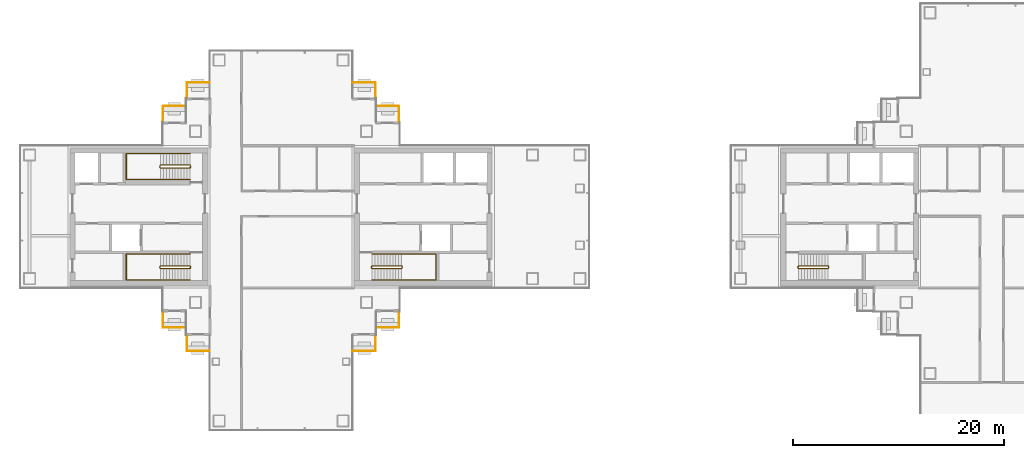
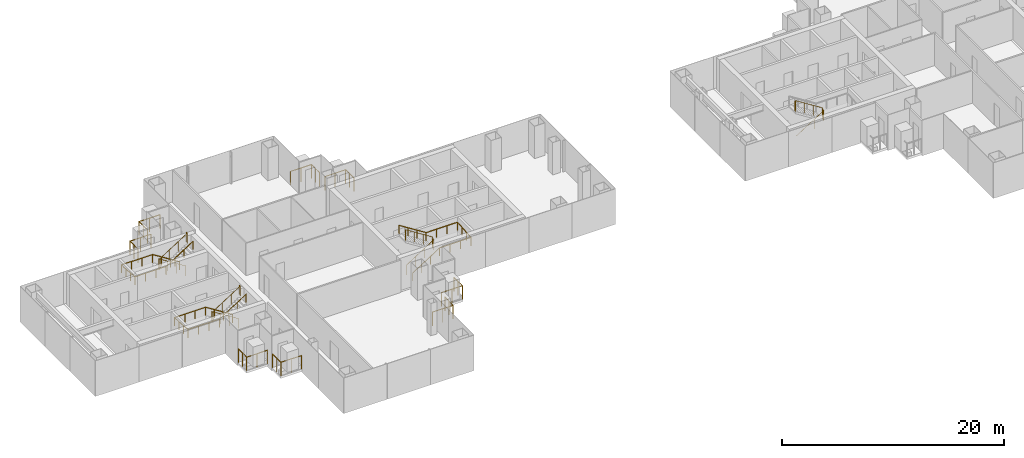
# One storey, part 15 of 17: 15 railings.
"""IFC4 building model written with IfcOpenShell, lengths in metres."""

from ifc_helpers import new_model, si_unit, direction, frame, origin, origin_2d, place, context, subcontext, project, spatial, circle, extrude, material, type_object, element, save


model = new_model("IFC4")

# Units and contexts
model_context = context("Model", 3, precision=1e-05, world=origin(), true_north=direction((0.0, 1.0)))
body_context = subcontext(model_context, "Body", "Model", "MODEL_VIEW")
ifc_project = project(units=[si_unit("LENGTHUNIT", "METRE"), si_unit("AREAUNIT", "SQUARE_METRE"), si_unit("VOLUMEUNIT", "CUBIC_METRE"), si_unit("PLANEANGLEUNIT", "RADIAN"), si_unit("MASSUNIT", "GRAM", prefix="KILO")], contexts=[model_context])

# Site, building, storey
site_placement = place(None, origin())
site = spatial("IfcSite", under=ifc_project, at=site_placement, CompositionType="ELEMENT")
building_placement = place(site_placement, origin())
building = spatial("IfcBuilding", under=site, at=building_placement, Name="Shamsa Quay Exchange Towers", CompositionType="ELEMENT")
storey_placement = place(building_placement, frame((0.0, 0.0, 170.10009765625)))
storey = spatial("IfcBuildingStorey", under=building, at=storey_placement, Name="L40", CompositionType="ELEMENT", Elevation=170.10009765625)

# Railings
ifc_material_1 = material(Name="Steel S355, black powder-coated", Category="steel")
railing_type_1 = type_object("IfcRailingType", Name="BALCONY GUARD 1500", PredefinedType="GUARDRAIL", material=ifc_material_1)
for number, where, name in (
    (1, (-22.550048828125, 9.02099609375, 0.0), "Balcony guard T1-PKEN L40"),
    (2, (-24.800048828125, 11.27099609375, 0.0), "Balcony guard T1-PKEN L40"),
):
    element("IfcRailing", number, at=place(storey_placement, frame(where)), inside=storey, type_object=railing_type_1, Name=name, PredefinedType="GUARDRAIL", context=body_context, shape_type="SweptSolid", body=[
        extrude(circle(Radius=0.02392578125, at=origin_2d()), frame((0.0, 0.0, 1.47607421875), z_axis=(0.0, 1.0, 0.0), x_axis=(-1.0, 0.0, 0.0)), (0.0, 0.0, 1.0), 1.47900390625),
        extrude(circle(Radius=0.02392578125, at=origin_2d()), frame((0.0, 1.47900390625, 1.47607421875), z_axis=(-1.0, 0.0, 0.0), x_axis=(0.0, -1.0, 0.0)), (0.0, 0.0, 1.0), 2.161865234375),
        extrude(circle(Radius=0.02099609375, at=origin_2d()), origin(), (0.0, 0.0, 1.0), 1.451904296875),
        extrude(circle(Radius=0.02099609375, at=origin_2d()), frame((0.0, 0.739501953125, 0.0)), (0.0, 0.0, 1.0), 1.451904296875),
        extrude(circle(Radius=0.02099609375, at=origin_2d()), frame((0.0, 1.47900390625, 0.0)), (0.0, 0.0, 1.0), 1.451904296875),
        extrude(circle(Radius=0.02099609375, at=origin_2d()), frame((-1.0810546875, 1.47900390625, 0.0)), (0.0, 0.0, 1.0), 1.451904296875),
        extrude(circle(Radius=0.02099609375, at=origin_2d()), frame((-2.161865234375, 1.47900390625, 0.0)), (0.0, 0.0, 1.0), 1.451904296875),
    ])
for number, where, name in (
    (3, (-24.7119140625, -10.5, 0.0), "Balcony guard T1-PKES L40"),
    (4, (-26.9619140625, -12.75, 0.0), "Balcony guard T1-PKES L40"),
):
    element("IfcRailing", number, at=place(storey_placement, frame(where)), inside=storey, type_object=railing_type_1, Name=name, PredefinedType="GUARDRAIL", context=body_context, shape_type="SweptSolid", body=[
        extrude(circle(Radius=0.02392578125, at=origin_2d()), frame((0.0, 0.0, 1.47607421875), z_axis=(1.0, 0.0, 0.0), x_axis=(0.0, 1.0, 0.0)), (0.0, 0.0, 1.0), 2.161865234375),
        extrude(circle(Radius=0.02392578125, at=origin_2d()), frame((2.161865234375, 0.0, 1.47607421875), z_axis=(0.0, 1.0, 0.0), x_axis=(-1.0, 0.0, 0.0)), (0.0, 0.0, 1.0), 1.47900390625),
        extrude(circle(Radius=0.02099609375, at=origin_2d()), origin(), (0.0, 0.0, 1.0), 1.451904296875),
        extrude(circle(Radius=0.02099609375, at=origin_2d()), frame((1.0810546875, 0.0, 0.0)), (0.0, 0.0, 1.0), 1.451904296875),
        extrude(circle(Radius=0.02099609375, at=origin_2d()), frame((2.161865234375, 0.0, 0.0)), (0.0, 0.0, 1.0), 1.451904296875),
        extrude(circle(Radius=0.02099609375, at=origin_2d()), frame((2.161865234375, 0.739501953125, 0.0)), (0.0, 0.0, 1.0), 1.451904296875),
        extrude(circle(Radius=0.02099609375, at=origin_2d()), frame((2.161865234375, 1.47900390625, 0.0)), (0.0, 0.0, 1.0), 1.451904296875),
    ])
for number, where, name in (
    (5, (-40.5380859375, 12.75, 0.0), "Balcony guard T1-PKWN L40"),
    (6, (-42.7880859375, 10.5, 0.0), "Balcony guard T1-PKWN L40"),
):
    element("IfcRailing", number, at=place(storey_placement, frame(where)), inside=storey, type_object=railing_type_1, Name=name, PredefinedType="GUARDRAIL", context=body_context, shape_type="SweptSolid", body=[
        extrude(circle(Radius=0.02392578125, at=origin_2d()), frame((0.0, 0.0, 1.47607421875), z_axis=(-1.0, 0.0, 0.0), x_axis=(0.0, -1.0, 0.0)), (0.0, 0.0, 1.0), 2.161865234375),
        extrude(circle(Radius=0.02392578125, at=origin_2d()), frame((-2.161865234375, 0.0, 1.47607421875), z_axis=(0.0, -1.0, 0.0), x_axis=(1.0, 0.0, 0.0)), (0.0, 0.0, 1.0), 1.47900390625),
        extrude(circle(Radius=0.02099609375, at=origin_2d()), origin(), (0.0, 0.0, 1.0), 1.451904296875),
        extrude(circle(Radius=0.02099609375, at=origin_2d()), frame((-1.0810546875, 0.0, 0.0)), (0.0, 0.0, 1.0), 1.451904296875),
        extrude(circle(Radius=0.02099609375, at=origin_2d()), frame((-2.161865234375, 0.0, 0.0)), (0.0, 0.0, 1.0), 1.451904296875),
        extrude(circle(Radius=0.02099609375, at=origin_2d()), frame((-2.161865234375, -0.739501953125, 0.0)), (0.0, 0.0, 1.0), 1.451904296875),
        extrude(circle(Radius=0.02099609375, at=origin_2d()), frame((-2.161865234375, -1.47900390625, 0.0)), (0.0, 0.0, 1.0), 1.451904296875),
    ])
for number, where, name in (
    (7, (-44.949951171875, -9.02099609375, 0.0), "Balcony guard T1-PKWS L40"),
    (8, (-42.699951171875, -11.27099609375, 0.0), "Balcony guard T1-PKWS L40"),
):
    element("IfcRailing", number, at=place(storey_placement, frame(where)), inside=storey, type_object=railing_type_1, Name=name, PredefinedType="GUARDRAIL", context=body_context, shape_type="SweptSolid", body=[
        extrude(circle(Radius=0.02392578125, at=origin_2d()), frame((0.0, 0.0, 1.47607421875), z_axis=(0.0, -1.0, 0.0), x_axis=(1.0, 0.0, 0.0)), (0.0, 0.0, 1.0), 1.47900390625),
        extrude(circle(Radius=0.02392578125, at=origin_2d()), frame((0.0, -1.47900390625, 1.47607421875), z_axis=(1.0, 0.0, 0.0), x_axis=(0.0, 1.0, 0.0)), (0.0, 0.0, 1.0), 2.161865234375),
        extrude(circle(Radius=0.02099609375, at=origin_2d()), origin(), (0.0, 0.0, 1.0), 1.451904296875),
        extrude(circle(Radius=0.02099609375, at=origin_2d()), frame((0.0, -0.739501953125, 0.0)), (0.0, 0.0, 1.0), 1.451904296875),
        extrude(circle(Radius=0.02099609375, at=origin_2d()), frame((0.0, -1.47900390625, 0.0)), (0.0, 0.0, 1.0), 1.451904296875),
        extrude(circle(Radius=0.02099609375, at=origin_2d()), frame((1.0810546875, -1.47900390625, 0.0)), (0.0, 0.0, 1.0), 1.451904296875),
        extrude(circle(Radius=0.02099609375, at=origin_2d()), frame((2.161865234375, -1.47900390625, 0.0)), (0.0, 0.0, 1.0), 1.451904296875),
    ])
ifc_material_2 = material(Name="Stainless steel", Category="steel")
railing_type_2 = type_object("IfcRailingType", Name="STAIR GUARD 1100", PredefinedType="GUARDRAIL", material=ifc_material_2)
railing_1_placement = place(storey_placement, frame((-25.10009765625, -4.89990234375, 0.17724609375)))
element("IfcRailing", 9, at=railing_1_placement, inside=storey, type_object=railing_type_2, Name="L40 ST1 stair guard 1", PredefinedType="GUARDRAIL", context=body_context, shape_type="SweptSolid", body=[
    extrude(circle(Radius=0.02392578125, at=origin_2d()), frame((0.0, 0.0, 1.076171875), z_axis=(0.844908973607, 0.0, 0.534910110503), x_axis=(0.0, 1.0, 0.0)), (0.0, 0.0, 1.0), 3.31396484375),
    extrude(circle(Radius=0.02392578125, at=origin_2d()), frame((2.800048828125, 0.0, 2.8486328125), z_axis=(0.708833529934, 0.705375805398, 0.0), x_axis=(-0.705375805398, 0.708833529934, 0.0)), (0.0, 0.0, 1.0), 0.070556640625),
    extrude(circle(Radius=0.02392578125, at=origin_2d()), frame((2.85009765625, 0.0498046875, 2.8486328125), z_axis=(0.0, 1.0, 0.0), x_axis=(-1.0, 0.0, 0.0)), (0.0, 0.0, 1.0), 0.150146484375),
    extrude(circle(Radius=0.02392578125, at=origin_2d()), frame((2.85009765625, 0.199951171875, 2.8486328125), z_axis=(-0.262233686654, 0.262233686654, 0.928691007369), x_axis=(-0.707106781187, -0.707106781187, 0.0)), (0.0, 0.0, 1.0), 0.19091796875),
    extrude(circle(Radius=0.02392578125, at=origin_2d()), frame((2.800048828125, 0.25, 3.02587890625), z_axis=(-0.844908973607, 0.0, 0.534910110503), x_axis=(0.0, -1.0, 0.0)), (0.0, 0.0, 1.0), 3.31396484375),
    extrude(circle(Radius=0.02392578125, at=origin_2d()), frame((0.0, 0.25, 4.798828125), z_axis=(-0.24142163986, -0.970420317083, 0.0), x_axis=(0.970420317083, -0.24142163986, 0.0)), (0.0, 0.0, 1.0), 0.206298828125),
    extrude(circle(Radius=0.02392578125, at=origin_2d()), frame((-0.0498046875, 0.0498046875, 4.798828125), z_axis=(0.0, 1.0, 0.0), x_axis=(-1.0, 0.0, 0.0)), (0.0, 0.0, 1.0), 0.150146484375),
    extrude(circle(Radius=0.02099609375, at=origin_2d()), origin(), (0.0, 0.0, 1.0), 1.052001953125),
    extrude(circle(Radius=0.02099609375, at=origin_2d()), frame((0.933349609375, 0.0, 0.5908203125)), (0.0, 0.0, 1.0), 1.052001953125),
    extrude(circle(Radius=0.02099609375, at=origin_2d()), frame((1.86669921875, 0.0, 1.181884765625)), (0.0, 0.0, 1.0), 1.052001953125),
    extrude(circle(Radius=0.02099609375, at=origin_2d()), frame((2.800048828125, 0.0, 1.772705078125)), (0.0, 0.0, 1.0), 1.052001953125),
    extrude(circle(Radius=0.02099609375, at=origin_2d()), frame((2.85009765625, 0.0498046875, 1.772705078125)), (0.0, 0.0, 1.0), 1.052001953125),
    extrude(circle(Radius=0.02099609375, at=origin_2d()), frame((2.85009765625, 0.199951171875, 1.772705078125)), (0.0, 0.0, 1.0), 1.052001953125),
    extrude(circle(Radius=0.02099609375, at=origin_2d()), frame((2.800048828125, 0.25, 1.949951171875)), (0.0, 0.0, 1.0), 1.052001953125),
    extrude(circle(Radius=0.02099609375, at=origin_2d()), frame((1.86669921875, 0.25, 2.540771484375)), (0.0, 0.0, 1.0), 1.052001953125),
    extrude(circle(Radius=0.02099609375, at=origin_2d()), frame((0.933349609375, 0.25, 3.1318359375)), (0.0, 0.0, 1.0), 1.052001953125),
    extrude(circle(Radius=0.02099609375, at=origin_2d()), frame((0.0, 0.25, 3.72265625)), (0.0, 0.0, 1.0), 1.052001953125),
    extrude(circle(Radius=0.02099609375, at=origin_2d()), frame((-0.0498046875, 0.0498046875, 3.72265625)), (0.0, 0.0, 1.0), 1.052001953125),
    extrude(circle(Radius=0.02099609375, at=origin_2d()), frame((-0.0498046875, 0.199951171875, 3.72265625)), (0.0, 0.0, 1.0), 1.052001953125),
])
railing_2_placement = place(storey_placement, frame((-42.39990234375, -4.64990234375, 0.17724609375)))
element("IfcRailing", 10, at=railing_2_placement, inside=storey, type_object=railing_type_2, Name="L40 ST2 stair guard 1", PredefinedType="GUARDRAIL", context=body_context, shape_type="SweptSolid", body=[
    extrude(circle(Radius=0.02392578125, at=origin_2d()), frame((0.0, 0.0, 1.076171875), z_axis=(-0.844908973607, 0.0, 0.534910110503), x_axis=(0.0, -1.0, 0.0)), (0.0, 0.0, 1.0), 3.31396484375),
    extrude(circle(Radius=0.02392578125, at=origin_2d()), frame((-2.800048828125, 0.0, 2.8486328125), z_axis=(-0.707106781187, -0.707106781187, 0.0), x_axis=(0.707106781187, -0.707106781187, 0.0)), (0.0, 0.0, 1.0), 0.07080078125),
    extrude(circle(Radius=0.02392578125, at=origin_2d()), frame((-2.85009765625, -0.050048828125, 2.8486328125), z_axis=(0.0, -1.0, 0.0), x_axis=(1.0, 0.0, 0.0)), (0.0, 0.0, 1.0), 0.150146484375),
    extrude(circle(Radius=0.02392578125, at=origin_2d()), frame((-2.85009765625, -0.2001953125, 2.8486328125), z_axis=(0.262321481514, -0.261041864531, 0.929001929653), x_axis=(0.705375805398, 0.708833529934, 0.0)), (0.0, 0.0, 1.0), 0.190673828125),
    extrude(circle(Radius=0.02392578125, at=origin_2d()), frame((-2.800048828125, -0.25, 3.02587890625), z_axis=(0.844908973607, 0.0, 0.534910110503), x_axis=(0.0, 1.0, 0.0)), (0.0, 0.0, 1.0), 3.31396484375),
    extrude(circle(Radius=0.02392578125, at=origin_2d()), frame((0.0, -0.25, 4.798828125), z_axis=(0.241699205484, 0.970351222016, 0.0), x_axis=(-0.970351222016, 0.241699205484, 0.0)), (0.0, 0.0, 1.0), 0.2060546875),
    extrude(circle(Radius=0.02392578125, at=origin_2d()), frame((0.0498046875, -0.050048828125, 4.798828125), z_axis=(0.0, -1.0, 0.0), x_axis=(1.0, 0.0, 0.0)), (0.0, 0.0, 1.0), 0.150146484375),
    extrude(circle(Radius=0.02099609375, at=origin_2d()), origin(), (0.0, 0.0, 1.0), 1.052001953125),
    extrude(circle(Radius=0.02099609375, at=origin_2d()), frame((-0.933349609375, 0.0, 0.5908203125)), (0.0, 0.0, 1.0), 1.052001953125),
    extrude(circle(Radius=0.02099609375, at=origin_2d()), frame((-1.86669921875, 0.0, 1.181884765625)), (0.0, 0.0, 1.0), 1.052001953125),
    extrude(circle(Radius=0.02099609375, at=origin_2d()), frame((-2.800048828125, 0.0, 1.772705078125)), (0.0, 0.0, 1.0), 1.052001953125),
    extrude(circle(Radius=0.02099609375, at=origin_2d()), frame((-2.85009765625, -0.050048828125, 1.772705078125)), (0.0, 0.0, 1.0), 1.052001953125),
    extrude(circle(Radius=0.02099609375, at=origin_2d()), frame((-2.85009765625, -0.2001953125, 1.772705078125)), (0.0, 0.0, 1.0), 1.052001953125),
    extrude(circle(Radius=0.02099609375, at=origin_2d()), frame((-2.800048828125, -0.25, 1.949951171875)), (0.0, 0.0, 1.0), 1.052001953125),
    extrude(circle(Radius=0.02099609375, at=origin_2d()), frame((-1.86669921875, -0.25, 2.540771484375)), (0.0, 0.0, 1.0), 1.052001953125),
    extrude(circle(Radius=0.02099609375, at=origin_2d()), frame((-0.933349609375, -0.25, 3.1318359375)), (0.0, 0.0, 1.0), 1.052001953125),
    extrude(circle(Radius=0.02099609375, at=origin_2d()), frame((0.0, -0.25, 3.72265625)), (0.0, 0.0, 1.0), 1.052001953125),
    extrude(circle(Radius=0.02099609375, at=origin_2d()), frame((0.0498046875, -0.050048828125, 3.72265625)), (0.0, 0.0, 1.0), 1.052001953125),
    extrude(circle(Radius=0.02099609375, at=origin_2d()), frame((0.0498046875, -0.2001953125, 3.72265625)), (0.0, 0.0, 1.0), 1.052001953125),
])
railing_3_placement = place(storey_placement, frame((-42.39990234375, 4.89990234375, 0.17724609375)))
element("IfcRailing", 11, at=railing_3_placement, inside=storey, type_object=railing_type_2, Name="L40 ST3 stair guard 1", PredefinedType="GUARDRAIL", context=body_context, shape_type="SweptSolid", body=[
    extrude(circle(Radius=0.02392578125, at=origin_2d()), frame((0.0, 0.0, 1.076171875), z_axis=(-0.844908973607, 0.0, 0.534910110503), x_axis=(0.0, -1.0, 0.0)), (0.0, 0.0, 1.0), 3.31396484375),
    extrude(circle(Radius=0.02392578125, at=origin_2d()), frame((-2.800048828125, 0.0, 2.8486328125), z_axis=(-0.708833529934, -0.705375805398, 0.0), x_axis=(0.705375805398, -0.708833529934, 0.0)), (0.0, 0.0, 1.0), 0.070556640625),
    extrude(circle(Radius=0.02392578125, at=origin_2d()), frame((-2.85009765625, -0.0498046875, 2.8486328125), z_axis=(0.0, -1.0, 0.0), x_axis=(1.0, 0.0, 0.0)), (0.0, 0.0, 1.0), 0.150146484375),
    extrude(circle(Radius=0.02392578125, at=origin_2d()), frame((-2.85009765625, -0.199951171875, 2.8486328125), z_axis=(0.262233686654, -0.262233686654, 0.928691007369), x_axis=(0.707106781187, 0.707106781187, 0.0)), (0.0, 0.0, 1.0), 0.19091796875),
    extrude(circle(Radius=0.02392578125, at=origin_2d()), frame((-2.800048828125, -0.25, 3.02587890625), z_axis=(0.844908973607, 0.0, 0.534910110503), x_axis=(0.0, 1.0, 0.0)), (0.0, 0.0, 1.0), 3.31396484375),
    extrude(circle(Radius=0.02392578125, at=origin_2d()), frame((0.0, -0.25, 4.798828125), z_axis=(0.24142163986, 0.970420317083, 0.0), x_axis=(-0.970420317083, 0.24142163986, 0.0)), (0.0, 0.0, 1.0), 0.206298828125),
    extrude(circle(Radius=0.02392578125, at=origin_2d()), frame((0.0498046875, -0.0498046875, 4.798828125), z_axis=(0.0, -1.0, 0.0), x_axis=(1.0, 0.0, 0.0)), (0.0, 0.0, 1.0), 0.150146484375),
    extrude(circle(Radius=0.02099609375, at=origin_2d()), origin(), (0.0, 0.0, 1.0), 1.052001953125),
    extrude(circle(Radius=0.02099609375, at=origin_2d()), frame((-0.933349609375, 0.0, 0.5908203125)), (0.0, 0.0, 1.0), 1.052001953125),
    extrude(circle(Radius=0.02099609375, at=origin_2d()), frame((-1.86669921875, 0.0, 1.181884765625)), (0.0, 0.0, 1.0), 1.052001953125),
    extrude(circle(Radius=0.02099609375, at=origin_2d()), frame((-2.800048828125, 0.0, 1.772705078125)), (0.0, 0.0, 1.0), 1.052001953125),
    extrude(circle(Radius=0.02099609375, at=origin_2d()), frame((-2.85009765625, -0.0498046875, 1.772705078125)), (0.0, 0.0, 1.0), 1.052001953125),
    extrude(circle(Radius=0.02099609375, at=origin_2d()), frame((-2.85009765625, -0.199951171875, 1.772705078125)), (0.0, 0.0, 1.0), 1.052001953125),
    extrude(circle(Radius=0.02099609375, at=origin_2d()), frame((-2.800048828125, -0.25, 1.949951171875)), (0.0, 0.0, 1.0), 1.052001953125),
    extrude(circle(Radius=0.02099609375, at=origin_2d()), frame((-1.86669921875, -0.25, 2.540771484375)), (0.0, 0.0, 1.0), 1.052001953125),
    extrude(circle(Radius=0.02099609375, at=origin_2d()), frame((-0.933349609375, -0.25, 3.1318359375)), (0.0, 0.0, 1.0), 1.052001953125),
    extrude(circle(Radius=0.02099609375, at=origin_2d()), frame((0.0, -0.25, 3.72265625)), (0.0, 0.0, 1.0), 1.052001953125),
    extrude(circle(Radius=0.02099609375, at=origin_2d()), frame((0.0498046875, -0.0498046875, 3.72265625)), (0.0, 0.0, 1.0), 1.052001953125),
    extrude(circle(Radius=0.02099609375, at=origin_2d()), frame((0.0498046875, -0.199951171875, 3.72265625)), (0.0, 0.0, 1.0), 1.052001953125),
])
railing_4_placement = place(storey_placement, frame((15.39990234375, -4.89990234375, 0.17724609375)))
element("IfcRailing", 12, at=railing_4_placement, inside=storey, type_object=railing_type_2, Name="L40 ST4 stair guard 1", PredefinedType="GUARDRAIL", context=body_context, shape_type="SweptSolid", body=[
    extrude(circle(Radius=0.02392578125, at=origin_2d()), frame((0.0, 0.0, 1.076171875), z_axis=(0.844908973607, 0.0, 0.534910110503), x_axis=(0.0, 1.0, 0.0)), (0.0, 0.0, 1.0), 3.31396484375),
    extrude(circle(Radius=0.02392578125, at=origin_2d()), frame((2.800048828125, 0.0, 2.8486328125), z_axis=(0.708833529934, 0.705375805398, 0.0), x_axis=(-0.705375805398, 0.708833529934, 0.0)), (0.0, 0.0, 1.0), 0.070556640625),
    extrude(circle(Radius=0.02392578125, at=origin_2d()), frame((2.85009765625, 0.0498046875, 2.8486328125), z_axis=(0.0, 1.0, 0.0), x_axis=(-1.0, 0.0, 0.0)), (0.0, 0.0, 1.0), 0.150146484375),
    extrude(circle(Radius=0.02392578125, at=origin_2d()), frame((2.85009765625, 0.199951171875, 2.8486328125), z_axis=(-0.262233686654, 0.262233686654, 0.928691007369), x_axis=(-0.707106781187, -0.707106781187, 0.0)), (0.0, 0.0, 1.0), 0.19091796875),
    extrude(circle(Radius=0.02392578125, at=origin_2d()), frame((2.800048828125, 0.25, 3.02587890625), z_axis=(-0.844908973607, 0.0, 0.534910110503), x_axis=(0.0, -1.0, 0.0)), (0.0, 0.0, 1.0), 3.31396484375),
    extrude(circle(Radius=0.02392578125, at=origin_2d()), frame((0.0, 0.25, 4.798828125), z_axis=(-0.24142163986, -0.970420317083, 0.0), x_axis=(0.970420317083, -0.24142163986, 0.0)), (0.0, 0.0, 1.0), 0.206298828125),
    extrude(circle(Radius=0.02392578125, at=origin_2d()), frame((-0.0498046875, 0.0498046875, 4.798828125), z_axis=(0.0, 1.0, 0.0), x_axis=(-1.0, 0.0, 0.0)), (0.0, 0.0, 1.0), 0.150146484375),
    extrude(circle(Radius=0.02099609375, at=origin_2d()), origin(), (0.0, 0.0, 1.0), 1.052001953125),
    extrude(circle(Radius=0.02099609375, at=origin_2d()), frame((0.933349609375, 0.0, 0.5908203125)), (0.0, 0.0, 1.0), 1.052001953125),
    extrude(circle(Radius=0.02099609375, at=origin_2d()), frame((1.86669921875, 0.0, 1.181884765625)), (0.0, 0.0, 1.0), 1.052001953125),
    extrude(circle(Radius=0.02099609375, at=origin_2d()), frame((2.800048828125, 0.0, 1.772705078125)), (0.0, 0.0, 1.0), 1.052001953125),
    extrude(circle(Radius=0.02099609375, at=origin_2d()), frame((2.85009765625, 0.0498046875, 1.772705078125)), (0.0, 0.0, 1.0), 1.052001953125),
    extrude(circle(Radius=0.02099609375, at=origin_2d()), frame((2.85009765625, 0.199951171875, 1.772705078125)), (0.0, 0.0, 1.0), 1.052001953125),
    extrude(circle(Radius=0.02099609375, at=origin_2d()), frame((2.800048828125, 0.25, 1.949951171875)), (0.0, 0.0, 1.0), 1.052001953125),
    extrude(circle(Radius=0.02099609375, at=origin_2d()), frame((1.86669921875, 0.25, 2.540771484375)), (0.0, 0.0, 1.0), 1.052001953125),
    extrude(circle(Radius=0.02099609375, at=origin_2d()), frame((0.933349609375, 0.25, 3.1318359375)), (0.0, 0.0, 1.0), 1.052001953125),
    extrude(circle(Radius=0.02099609375, at=origin_2d()), frame((0.0, 0.25, 3.72265625)), (0.0, 0.0, 1.0), 1.052001953125),
    extrude(circle(Radius=0.02099609375, at=origin_2d()), frame((-0.0498046875, 0.0498046875, 3.72265625)), (0.0, 0.0, 1.0), 1.052001953125),
    extrude(circle(Radius=0.02099609375, at=origin_2d()), frame((-0.0498046875, 0.199951171875, 3.72265625)), (0.0, 0.0, 1.0), 1.052001953125),
])
railing_type_3 = type_object("IfcRailingType", Name="STAIR HANDRAIL 900", PredefinedType="HANDRAIL", material=ifc_material_2)
railing_5_placement = place(storey_placement, frame((-25.10009765625, -6.0, 0.17724609375)))
element("IfcRailing", 13, at=railing_5_placement, inside=storey, type_object=railing_type_3, Name="L40 ST1 stair handrail 1", PredefinedType="HANDRAIL", context=body_context, shape_type="SweptSolid", body=[
    extrude(circle(Radius=0.02392578125, at=origin_2d()), frame((0.0, 0.0, 0.8759765625), z_axis=(0.844908973607, 0.0, 0.534910110503), x_axis=(0.0, 1.0, 0.0)), (0.0, 0.0, 1.0), 3.31396484375),
    extrude(circle(Radius=0.02392578125, at=origin_2d()), frame((2.800048828125, 0.0, 2.6484375), z_axis=(1.0, 0.0, 0.0), x_axis=(0.0, 1.0, 0.0)), (0.0, 0.0, 1.0), 3.25),
    extrude(circle(Radius=0.02392578125, at=origin_2d()), frame((6.050048828125, 0.0, 2.6484375), z_axis=(0.0, 0.997393199914, 0.07215819264), x_axis=(-1.0, 0.0, 0.0)), (0.0, 0.0, 1.0), 2.456298828125),
    extrude(circle(Radius=0.02392578125, at=origin_2d()), frame((6.050048828125, 2.449951171875, 2.82568359375), z_axis=(-1.0, 0.0, 0.0), x_axis=(0.0, -1.0, 0.0)), (0.0, 0.0, 1.0), 3.25),
    extrude(circle(Radius=0.02392578125, at=origin_2d()), frame((2.800048828125, 2.449951171875, 2.82568359375), z_axis=(-0.844908973607, 0.0, 0.534910110503), x_axis=(0.0, -1.0, 0.0)), (0.0, 0.0, 1.0), 3.31396484375),
    extrude(circle(Radius=0.02099609375, at=origin_2d()), origin(), (0.0, 0.0, 1.0), 0.851806640625),
    extrude(circle(Radius=0.02099609375, at=origin_2d()), frame((0.933349609375, 0.0, 0.5908203125)), (0.0, 0.0, 1.0), 0.851806640625),
    extrude(circle(Radius=0.02099609375, at=origin_2d()), frame((1.86669921875, 0.0, 1.181884765625)), (0.0, 0.0, 1.0), 0.851806640625),
    extrude(circle(Radius=0.02099609375, at=origin_2d()), frame((2.800048828125, 0.0, 1.772705078125)), (0.0, 0.0, 1.0), 0.851806640625),
    extrude(circle(Radius=0.02099609375, at=origin_2d()), frame((3.88330078125, 0.0, 1.772705078125)), (0.0, 0.0, 1.0), 0.851806640625),
    extrude(circle(Radius=0.02099609375, at=origin_2d()), frame((4.966796875, 0.0, 1.772705078125)), (0.0, 0.0, 1.0), 0.851806640625),
    extrude(circle(Radius=0.02099609375, at=origin_2d()), frame((6.050048828125, 0.0, 1.772705078125)), (0.0, 0.0, 1.0), 0.851806640625),
    extrude(circle(Radius=0.02099609375, at=origin_2d()), frame((6.050048828125, 0.816650390625, 1.831787109375)), (0.0, 0.0, 1.0), 0.851806640625),
    extrude(circle(Radius=0.02099609375, at=origin_2d()), frame((6.050048828125, 1.63330078125, 1.890869140625)), (0.0, 0.0, 1.0), 0.851806640625),
    extrude(circle(Radius=0.02099609375, at=origin_2d()), frame((6.050048828125, 2.449951171875, 1.949951171875)), (0.0, 0.0, 1.0), 0.851806640625),
    extrude(circle(Radius=0.02099609375, at=origin_2d()), frame((4.966796875, 2.449951171875, 1.949951171875)), (0.0, 0.0, 1.0), 0.851806640625),
    extrude(circle(Radius=0.02099609375, at=origin_2d()), frame((3.88330078125, 2.449951171875, 1.949951171875)), (0.0, 0.0, 1.0), 0.851806640625),
    extrude(circle(Radius=0.02099609375, at=origin_2d()), frame((2.800048828125, 2.449951171875, 1.949951171875)), (0.0, 0.0, 1.0), 0.851806640625),
    extrude(circle(Radius=0.02099609375, at=origin_2d()), frame((1.86669921875, 2.449951171875, 2.540771484375)), (0.0, 0.0, 1.0), 0.851806640625),
    extrude(circle(Radius=0.02099609375, at=origin_2d()), frame((0.933349609375, 2.449951171875, 3.1318359375)), (0.0, 0.0, 1.0), 0.851806640625),
    extrude(circle(Radius=0.02099609375, at=origin_2d()), frame((0.0, 2.449951171875, 3.72265625)), (0.0, 0.0, 1.0), 0.851806640625),
])
railing_6_placement = place(storey_placement, frame((-42.39990234375, -3.550048828125, 0.17724609375)))
element("IfcRailing", 14, at=railing_6_placement, inside=storey, type_object=railing_type_3, Name="L40 ST2 stair handrail 1", PredefinedType="HANDRAIL", context=body_context, shape_type="SweptSolid", body=[
    extrude(circle(Radius=0.02392578125, at=origin_2d()), frame((0.0, 0.0, 0.8759765625), z_axis=(-0.844908973607, 0.0, 0.534910110503), x_axis=(0.0, -1.0, 0.0)), (0.0, 0.0, 1.0), 3.31396484375),
    extrude(circle(Radius=0.02392578125, at=origin_2d()), frame((-2.800048828125, 0.0, 2.6484375), z_axis=(-1.0, 0.0, 0.0), x_axis=(0.0, -1.0, 0.0)), (0.0, 0.0, 1.0), 3.25),
    extrude(circle(Radius=0.02392578125, at=origin_2d()), frame((-6.050048828125, 0.0, 2.6484375), z_axis=(0.0, -0.997393199914, 0.07215819264), x_axis=(1.0, 0.0, 0.0)), (0.0, 0.0, 1.0), 2.456298828125),
    extrude(circle(Radius=0.02392578125, at=origin_2d()), frame((-6.050048828125, -2.449951171875, 2.82568359375), z_axis=(1.0, 0.0, 0.0), x_axis=(0.0, 1.0, 0.0)), (0.0, 0.0, 1.0), 3.25),
    extrude(circle(Radius=0.02392578125, at=origin_2d()), frame((-2.800048828125, -2.449951171875, 2.82568359375), z_axis=(0.844908973607, 0.0, 0.534910110503), x_axis=(0.0, 1.0, 0.0)), (0.0, 0.0, 1.0), 3.31396484375),
    extrude(circle(Radius=0.02099609375, at=origin_2d()), origin(), (0.0, 0.0, 1.0), 0.851806640625),
    extrude(circle(Radius=0.02099609375, at=origin_2d()), frame((-0.933349609375, 0.0, 0.5908203125)), (0.0, 0.0, 1.0), 0.851806640625),
    extrude(circle(Radius=0.02099609375, at=origin_2d()), frame((-1.86669921875, 0.0, 1.181884765625)), (0.0, 0.0, 1.0), 0.851806640625),
    extrude(circle(Radius=0.02099609375, at=origin_2d()), frame((-2.800048828125, 0.0, 1.772705078125)), (0.0, 0.0, 1.0), 0.851806640625),
    extrude(circle(Radius=0.02099609375, at=origin_2d()), frame((-3.88330078125, 0.0, 1.772705078125)), (0.0, 0.0, 1.0), 0.851806640625),
    extrude(circle(Radius=0.02099609375, at=origin_2d()), frame((-4.966796875, 0.0, 1.772705078125)), (0.0, 0.0, 1.0), 0.851806640625),
    extrude(circle(Radius=0.02099609375, at=origin_2d()), frame((-6.050048828125, 0.0, 1.772705078125)), (0.0, 0.0, 1.0), 0.851806640625),
    extrude(circle(Radius=0.02099609375, at=origin_2d()), frame((-6.050048828125, -0.816650390625, 1.831787109375)), (0.0, 0.0, 1.0), 0.851806640625),
    extrude(circle(Radius=0.02099609375, at=origin_2d()), frame((-6.050048828125, -1.63330078125, 1.890869140625)), (0.0, 0.0, 1.0), 0.851806640625),
    extrude(circle(Radius=0.02099609375, at=origin_2d()), frame((-6.050048828125, -2.449951171875, 1.949951171875)), (0.0, 0.0, 1.0), 0.851806640625),
    extrude(circle(Radius=0.02099609375, at=origin_2d()), frame((-4.966796875, -2.449951171875, 1.949951171875)), (0.0, 0.0, 1.0), 0.851806640625),
    extrude(circle(Radius=0.02099609375, at=origin_2d()), frame((-3.88330078125, -2.449951171875, 1.949951171875)), (0.0, 0.0, 1.0), 0.851806640625),
    extrude(circle(Radius=0.02099609375, at=origin_2d()), frame((-2.800048828125, -2.449951171875, 1.949951171875)), (0.0, 0.0, 1.0), 0.851806640625),
    extrude(circle(Radius=0.02099609375, at=origin_2d()), frame((-1.86669921875, -2.449951171875, 2.540771484375)), (0.0, 0.0, 1.0), 0.851806640625),
    extrude(circle(Radius=0.02099609375, at=origin_2d()), frame((-0.933349609375, -2.449951171875, 3.1318359375)), (0.0, 0.0, 1.0), 0.851806640625),
    extrude(circle(Radius=0.02099609375, at=origin_2d()), frame((0.0, -2.449951171875, 3.72265625)), (0.0, 0.0, 1.0), 0.851806640625),
])
railing_7_placement = place(storey_placement, frame((-42.39990234375, 6.0, 0.17724609375)))
element("IfcRailing", 15, at=railing_7_placement, inside=storey, type_object=railing_type_3, Name="L40 ST3 stair handrail 1", PredefinedType="HANDRAIL", context=body_context, shape_type="SweptSolid", body=[
    extrude(circle(Radius=0.02392578125, at=origin_2d()), frame((0.0, 0.0, 0.8759765625), z_axis=(-0.844908973607, 0.0, 0.534910110503), x_axis=(0.0, -1.0, 0.0)), (0.0, 0.0, 1.0), 3.31396484375),
    extrude(circle(Radius=0.02392578125, at=origin_2d()), frame((-2.800048828125, 0.0, 2.6484375), z_axis=(-1.0, 0.0, 0.0), x_axis=(0.0, -1.0, 0.0)), (0.0, 0.0, 1.0), 3.25),
    extrude(circle(Radius=0.02392578125, at=origin_2d()), frame((-6.050048828125, 0.0, 2.6484375), z_axis=(0.0, -0.997393199914, 0.07215819264), x_axis=(1.0, 0.0, 0.0)), (0.0, 0.0, 1.0), 2.456298828125),
    extrude(circle(Radius=0.02392578125, at=origin_2d()), frame((-6.050048828125, -2.449951171875, 2.82568359375), z_axis=(1.0, 0.0, 0.0), x_axis=(0.0, 1.0, 0.0)), (0.0, 0.0, 1.0), 3.25),
    extrude(circle(Radius=0.02392578125, at=origin_2d()), frame((-2.800048828125, -2.449951171875, 2.82568359375), z_axis=(0.844908973607, 0.0, 0.534910110503), x_axis=(0.0, 1.0, 0.0)), (0.0, 0.0, 1.0), 3.31396484375),
    extrude(circle(Radius=0.02099609375, at=origin_2d()), origin(), (0.0, 0.0, 1.0), 0.851806640625),
    extrude(circle(Radius=0.02099609375, at=origin_2d()), frame((-0.933349609375, 0.0, 0.5908203125)), (0.0, 0.0, 1.0), 0.851806640625),
    extrude(circle(Radius=0.02099609375, at=origin_2d()), frame((-1.86669921875, 0.0, 1.181884765625)), (0.0, 0.0, 1.0), 0.851806640625),
    extrude(circle(Radius=0.02099609375, at=origin_2d()), frame((-2.800048828125, 0.0, 1.772705078125)), (0.0, 0.0, 1.0), 0.851806640625),
    extrude(circle(Radius=0.02099609375, at=origin_2d()), frame((-3.88330078125, 0.0, 1.772705078125)), (0.0, 0.0, 1.0), 0.851806640625),
    extrude(circle(Radius=0.02099609375, at=origin_2d()), frame((-4.966796875, 0.0, 1.772705078125)), (0.0, 0.0, 1.0), 0.851806640625),
    extrude(circle(Radius=0.02099609375, at=origin_2d()), frame((-6.050048828125, 0.0, 1.772705078125)), (0.0, 0.0, 1.0), 0.851806640625),
    extrude(circle(Radius=0.02099609375, at=origin_2d()), frame((-6.050048828125, -0.816650390625, 1.831787109375)), (0.0, 0.0, 1.0), 0.851806640625),
    extrude(circle(Radius=0.02099609375, at=origin_2d()), frame((-6.050048828125, -1.63330078125, 1.890869140625)), (0.0, 0.0, 1.0), 0.851806640625),
    extrude(circle(Radius=0.02099609375, at=origin_2d()), frame((-6.050048828125, -2.449951171875, 1.949951171875)), (0.0, 0.0, 1.0), 0.851806640625),
    extrude(circle(Radius=0.02099609375, at=origin_2d()), frame((-4.966796875, -2.449951171875, 1.949951171875)), (0.0, 0.0, 1.0), 0.851806640625),
    extrude(circle(Radius=0.02099609375, at=origin_2d()), frame((-3.88330078125, -2.449951171875, 1.949951171875)), (0.0, 0.0, 1.0), 0.851806640625),
    extrude(circle(Radius=0.02099609375, at=origin_2d()), frame((-2.800048828125, -2.449951171875, 1.949951171875)), (0.0, 0.0, 1.0), 0.851806640625),
    extrude(circle(Radius=0.02099609375, at=origin_2d()), frame((-1.86669921875, -2.449951171875, 2.540771484375)), (0.0, 0.0, 1.0), 0.851806640625),
    extrude(circle(Radius=0.02099609375, at=origin_2d()), frame((-0.933349609375, -2.449951171875, 3.1318359375)), (0.0, 0.0, 1.0), 0.851806640625),
    extrude(circle(Radius=0.02099609375, at=origin_2d()), frame((0.0, -2.449951171875, 3.72265625)), (0.0, 0.0, 1.0), 0.851806640625),
])

save(model, "model.ifc")
